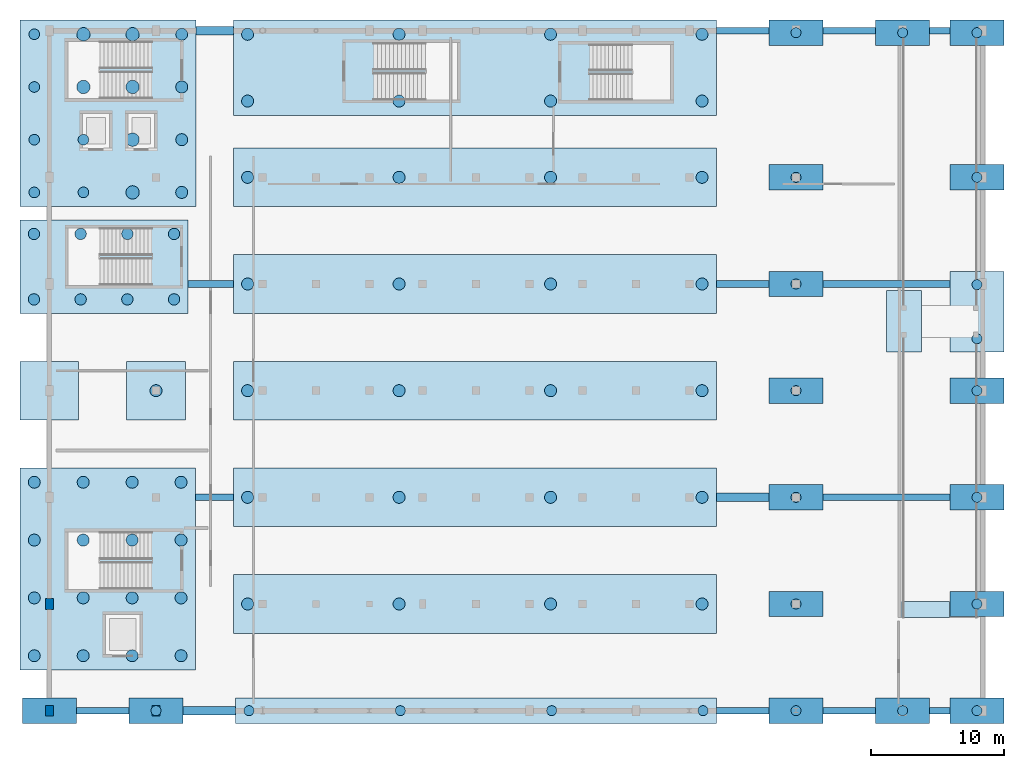
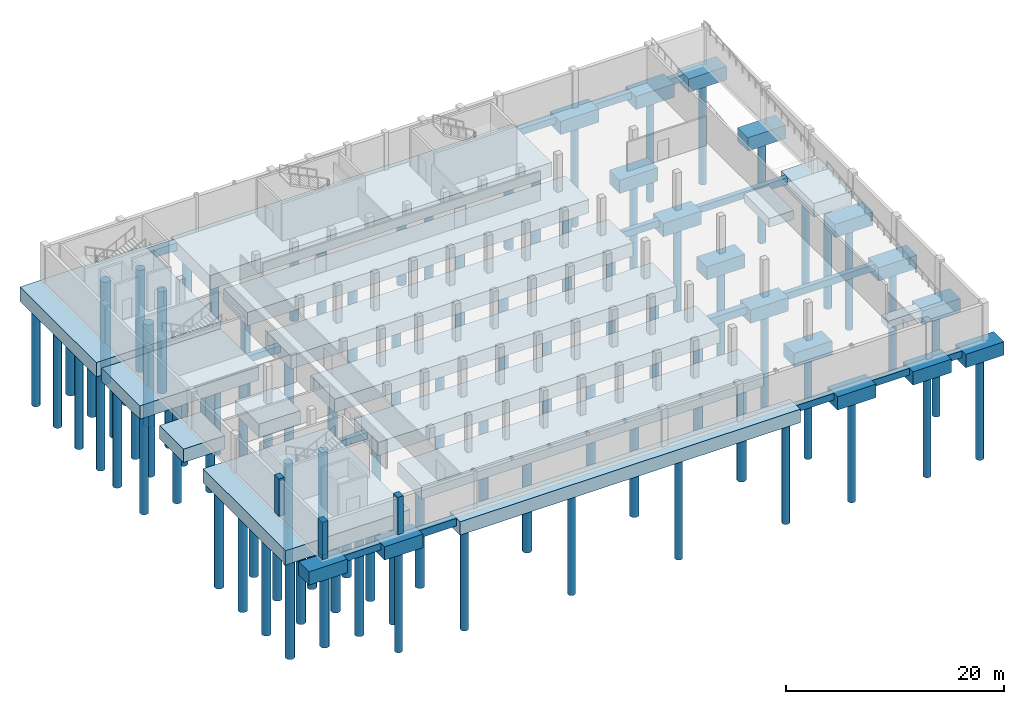
# One storey, part 1 of 15: 91 piles, 47 footings, 3 columns.
"""IFC4 building model written with IfcOpenShell, lengths in metres."""

from ifc_helpers import new_model, si_unit, derived_unit, direction, frame, origin, origin_2d, place, context, subcontext, project, spatial, rectangle, circle, extrude, material, material_profile, profile_set, type_object, element, save


model = new_model("IFC4")

# Units and contexts
model_context = context("Model", 3, precision=1e-05, world=origin(), true_north=direction((0.0, 1.0)))
body_context = subcontext(model_context, "Body", "Model", "MODEL_VIEW")
ifc_project = project(units=[si_unit("LENGTHUNIT", "METRE"), si_unit("AREAUNIT", "SQUARE_METRE"), si_unit("VOLUMEUNIT", "CUBIC_METRE"), si_unit("PLANEANGLEUNIT", "RADIAN"), si_unit("MASSUNIT", "GRAM", prefix="KILO"), derived_unit("THERMALTRANSMITTANCEUNIT", [(si_unit("POWERUNIT", "WATT"), 1), (si_unit("LENGTHUNIT", "METRE"), -2), (si_unit("THERMODYNAMICTEMPERATUREUNIT", "KELVIN"), -1)])], contexts=[model_context])

# Site, building, storey
site_placement = place(None, origin())
site = spatial("IfcSite", under=ifc_project, at=site_placement, CompositionType="ELEMENT")
building_placement = place(site_placement, origin())
building = spatial("IfcBuilding", under=site, at=building_placement, Name="Keldorne Ridge Multi-Sports Centre", CompositionType="ELEMENT")
storey_placement = place(building_placement, frame((0.0, 0.0, -4.199951171875)))
storey = spatial("IfcBuildingStorey", under=building, at=storey_placement, Name="B01", CompositionType="ELEMENT", Elevation=-4.199951171875)

# Footings
ifc_material_1 = material(Name="Concrete C35/45", Category="concrete")
ifc_material_profile_1 = material_profile(ifc_material_1, rectangle(XDim=0.5, YDim=0.75, at=origin_2d()), Name="GB 500x750")
ifc_profile_set_1 = profile_set([ifc_material_profile_1], Name="Concrete C35/45")
footing_type_1 = type_object("IfcFootingType", Name="FTG-GB02", PredefinedType="FOOTING_BEAM", material=ifc_profile_set_1)
for number, where, z_axis, x_axis, name in (
    (1, (106.02490234375, 66.0, -0.800048828125), (1.0, 0.0, 0.0), (0.0, 1.0, 0.0), "Ground tie beam GB-064"),
    (2, (154.02490234375, 66.0, -0.800048828125), (1.0, 0.0, 0.0), (0.0, 1.0, 0.0), "Ground tie beam GB-066"),
    (3, (162.02490234375, 66.0, -0.800048828125), (1.0, 0.0, 0.0), (0.0, 1.0, 0.0), "Ground tie beam GB-067"),
):
    element("IfcFooting", number, at=place(storey_placement, frame(where, z_axis=z_axis, x_axis=x_axis)), inside=storey, type_object=footing_type_1, Name=name, PredefinedType="FOOTING_BEAM", context=body_context, shape_type="SweptSolid", body=[
        extrude(rectangle(XDim=0.5, YDim=0.75, at=origin_2d()), origin(), (0.0, 0.0, 1.0), 3.9501953125),
    ])
footing_1_placement = place(storey_placement, frame((170.02490234375, 66.0, -0.800048828125), z_axis=(1.0, 0.0, 0.0), x_axis=(0.0, 1.0, 0.0)))
element("IfcFooting", 4, at=footing_1_placement, inside=storey, type_object=footing_type_1, Name="Ground tie beam GB-068", PredefinedType="FOOTING_BEAM", context=body_context, shape_type="SweptSolid", body=[
    extrude(rectangle(XDim=0.5, YDim=0.75, at=origin_2d()), origin(), (0.0, 0.0, 1.0), 1.525146484375),
])
footing_2_placement = place(storey_placement, frame((114.949951171875, 82.0, -0.800048828125), z_axis=(1.0, 0.0, 0.0), x_axis=(0.0, 1.0, 0.0)))
element("IfcFooting", 5, at=footing_2_placement, inside=storey, type_object=footing_type_1, Name="Ground tie beam GB-069", PredefinedType="FOOTING_BEAM", context=body_context, shape_type="SweptSolid", body=[
    extrude(rectangle(XDim=0.5, YDim=0.75, at=origin_2d()), origin(), (0.0, 0.0, 1.0), 2.85009765625),
])
footing_3_placement = place(storey_placement, frame((162.02490234375, 82.0, -0.800048828125), z_axis=(1.0, 0.0, 0.0), x_axis=(0.0, 1.0, 0.0)))
element("IfcFooting", 6, at=footing_3_placement, inside=storey, type_object=footing_type_1, Name="Ground tie beam GB-071", PredefinedType="FOOTING_BEAM", context=body_context, shape_type="SweptSolid", body=[
    extrude(rectangle(XDim=0.5, YDim=0.75, at=origin_2d()), origin(), (0.0, 0.0, 1.0), 9.525146484375),
])
footing_4_placement = place(storey_placement, frame((114.39990234375, 98.0, -0.800048828125), z_axis=(1.0, 0.0, 0.0), x_axis=(0.0, 1.0, 0.0)))
element("IfcFooting", 7, at=footing_4_placement, inside=storey, type_object=footing_type_1, Name="Ground tie beam GB-072", PredefinedType="FOOTING_BEAM", context=body_context, shape_type="SweptSolid", body=[
    extrude(rectangle(XDim=0.5, YDim=0.75, at=origin_2d()), origin(), (0.0, 0.0, 1.0), 3.400146484375),
])
footing_5_placement = place(storey_placement, frame((154.02490234375, 98.0, -0.800048828125), z_axis=(1.0, 0.0, 0.0), x_axis=(0.0, 1.0, 0.0)))
element("IfcFooting", 8, at=footing_5_placement, inside=storey, type_object=footing_type_1, Name="Ground tie beam GB-073", PredefinedType="FOOTING_BEAM", context=body_context, shape_type="SweptSolid", body=[
    extrude(rectangle(XDim=0.5, YDim=0.75, at=origin_2d()), origin(), (0.0, 0.0, 1.0), 3.9501953125),
])
footing_6_placement = place(storey_placement, frame((162.02490234375, 98.0, -0.800048828125), z_axis=(1.0, 0.0, 0.0), x_axis=(0.0, 1.0, 0.0)))
element("IfcFooting", 9, at=footing_6_placement, inside=storey, type_object=footing_type_1, Name="Ground tie beam GB-074", PredefinedType="FOOTING_BEAM", context=body_context, shape_type="SweptSolid", body=[
    extrude(rectangle(XDim=0.5, YDim=0.75, at=origin_2d()), origin(), (0.0, 0.0, 1.0), 9.525146484375),
])
for number, where, z_axis, x_axis, name in (
    (10, (154.02490234375, 117.0, -0.800048828125), (1.0, 0.0, 0.0), (0.0, 1.0, 0.0), "Ground tie beam GB-076"),
    (11, (162.02490234375, 117.0, -0.800048828125), (1.0, 0.0, 0.0), (0.0, 1.0, 0.0), "Ground tie beam GB-077"),
):
    element("IfcFooting", number, at=place(storey_placement, frame(where, z_axis=z_axis, x_axis=x_axis)), inside=storey, type_object=footing_type_1, Name=name, PredefinedType="FOOTING_BEAM", context=body_context, shape_type="SweptSolid", body=[
        extrude(rectangle(XDim=0.5, YDim=0.75, at=origin_2d()), origin(), (0.0, 0.0, 1.0), 3.9501953125),
    ])
footing_7_placement = place(storey_placement, frame((170.02490234375, 117.0, -0.800048828125), z_axis=(1.0, 0.0, 0.0), x_axis=(0.0, 1.0, 0.0)))
element("IfcFooting", 12, at=footing_7_placement, inside=storey, type_object=footing_type_1, Name="Ground tie beam GB-078", PredefinedType="FOOTING_BEAM", context=body_context, shape_type="SweptSolid", body=[
    extrude(rectangle(XDim=0.5, YDim=0.75, at=origin_2d()), origin(), (0.0, 0.0, 1.0), 1.525146484375),
])
ifc_material_profile_2 = material_profile(ifc_material_1, rectangle(XDim=0.64990234375, YDim=0.85009765625, at=origin_2d()), Name="GB 650x850")
ifc_profile_set_2 = profile_set([ifc_material_profile_2], Name="Concrete C35/45")
footing_type_2 = type_object("IfcFootingType", Name="FTG-GB03", PredefinedType="FOOTING_BEAM", material=ifc_profile_set_2)
for number, where, z_axis, x_axis, name in (
    (13, (114.02490234375, 66.0, -0.800048828125), (1.0, 0.0, 0.0), (0.0, 1.0, 0.0), "Ground tie beam GB-065"),
    (14, (154.02490234375, 82.0, -0.800048828125), (1.0, 0.0, 0.0), (0.0, 1.0, 0.0), "Ground tie beam GB-070"),
):
    element("IfcFooting", number, at=place(storey_placement, frame(where, z_axis=z_axis, x_axis=x_axis)), inside=storey, type_object=footing_type_2, Name=name, PredefinedType="FOOTING_BEAM", context=body_context, shape_type="SweptSolid", body=[
        extrude(rectangle(XDim=0.64990234375, YDim=0.85009765625, at=origin_2d()), origin(), (0.0, 0.0, 1.0), 3.9501953125),
    ])
footing_8_placement = place(storey_placement, frame((115.0, 117.0, -0.800048828125), z_axis=(1.0, 0.0, 0.0), x_axis=(0.0, 1.0, 0.0)))
element("IfcFooting", 15, at=footing_8_placement, inside=storey, type_object=footing_type_2, Name="Ground tie beam GB-075", PredefinedType="FOOTING_BEAM", context=body_context, shape_type="SweptSolid", body=[
    extrude(rectangle(XDim=0.64990234375, YDim=0.85009765625, at=origin_2d()), origin(), (0.0, 0.0, 1.0), 2.800048828125),
])
footing_type_3 = type_object("IfcFootingType", Name="FTG-PC-02", PredefinedType="PILE_CAP", material=ifc_material_1)
for number, where, z_axis, x_axis, name in (
    (16, (104.0, 66.0, -1.900146484375), (0.0, 0.0, 1.0), (1.0, 0.0, 0.0), "Foundation FTG-V5-C-01-01"),
    (17, (112.0, 66.0, -1.900146484375), (0.0, 0.0, 1.0), (1.0, 0.0, 0.0), "Foundation FTG-V5-C-02-01"),
    (18, (160.0, 66.0, -1.900146484375), (0.0, 0.0, 1.0), (1.0, 0.0, 0.0), "Foundation FTG-V5-C-12-01"),
    (19, (160.0, 74.0, -1.900146484375), (0.0, 0.0, 1.0), (1.0, 0.0, 0.0), "Foundation FTG-V5-C-12-02"),
    (20, (160.0, 82.0, -1.900146484375), (0.0, 0.0, 1.0), (1.0, 0.0, 0.0), "Foundation FTG-V5-C-12-03"),
    (21, (160.0, 90.0, -1.900146484375), (0.0, 0.0, 1.0), (1.0, 0.0, 0.0), "Foundation FTG-V5-C-12-04"),
    (22, (160.0, 98.0, -1.900146484375), (0.0, 0.0, 1.0), (1.0, 0.0, 0.0), "Foundation FTG-V5-C-12-05"),
    (23, (160.0, 106.0, -1.900146484375), (0.0, 0.0, 1.0), (1.0, 0.0, 0.0), "Foundation FTG-V5-C-12-06"),
    (24, (160.0, 116.85009765625, -1.900146484375), (0.0, 0.0, 1.0), (1.0, 0.0, 0.0), "Foundation FTG-V5-C-12-07"),
    (25, (168.0, 66.0, -1.900146484375), (0.0, 0.0, 1.0), (1.0, 0.0, 0.0), "Foundation FTG-V5-C-13-01"),
    (26, (168.0, 116.85009765625, -1.900146484375), (0.0, 0.0, 1.0), (1.0, 0.0, 0.0), "Foundation FTG-V5-C-13-07"),
    (27, (173.574951171875, 66.0, -1.900146484375), (0.0, 0.0, 1.0), (1.0, 0.0, 0.0), "Foundation FTG-V5-C-14-01"),
    (28, (173.574951171875, 74.0, -1.900146484375), (0.0, 0.0, 1.0), (1.0, 0.0, 0.0), "Foundation FTG-V5-C-14-02"),
    (29, (173.574951171875, 82.0, -1.900146484375), (0.0, 0.0, 1.0), (1.0, 0.0, 0.0), "Foundation FTG-V5-C-14-03"),
    (30, (173.574951171875, 90.0, -1.900146484375), (0.0, 0.0, 1.0), (1.0, 0.0, 0.0), "Foundation FTG-V5-C-14-04"),
    (31, (173.574951171875, 106.0, -1.900146484375), (0.0, 0.0, 1.0), (1.0, 0.0, 0.0), "Foundation FTG-V5-C-14-06"),
    (32, (173.574951171875, 116.85009765625, -1.900146484375), (0.0, 0.0, 1.0), (1.0, 0.0, 0.0), "Foundation FTG-V5-C-14-07"),
):
    element("IfcFooting", number, at=place(storey_placement, frame(where, z_axis=z_axis, x_axis=x_axis)), inside=storey, type_object=footing_type_3, Name=name, PredefinedType="PILE_CAP", context=body_context, shape_type="SweptSolid", body=[
        extrude(rectangle(XDim=4.050048828125, YDim=1.89990234375, at=origin_2d()), origin(), (0.0, 0.0, 1.0), 1.5),
    ])
footing_type_4 = type_object("IfcFootingType", Name="FTG-PC-05", PredefinedType="PILE_CAP", material=ifc_material_1)
for number, where, z_axis, x_axis, name in (
    (33, (104.0, 90.0, -1.900146484375), (0.0, 0.0, 1.0), (1.0, 0.0, 0.0), "Foundation FTG-V5-C-01-04"),
    (34, (112.0, 90.0, -1.900146484375), (0.0, 0.0, 1.0), (1.0, 0.0, 0.0), "Foundation FTG-V5-C-02-04"),
):
    element("IfcFooting", number, at=place(storey_placement, frame(where, z_axis=z_axis, x_axis=x_axis)), inside=storey, type_object=footing_type_4, Name=name, PredefinedType="PILE_CAP", context=body_context, shape_type="SweptSolid", body=[
        extrude(rectangle(XDim=4.39990234375, YDim=4.39990234375, at=origin_2d()), origin(), (0.0, 0.0, 1.0), 1.5),
    ])
footing_type_5 = type_object("IfcFootingType", Name="FTG-PCC-1260X700", PredefinedType="PILE_CAP", material=ifc_material_1)
footing_9_placement = place(storey_placement, frame((108.10009765625, 99.300048828125, -1.900146484375), z_axis=(0.0, 0.0, 1.0), x_axis=(1.0, 0.0, 0.0)))
element("IfcFooting", 35, at=footing_9_placement, inside=storey, type_object=footing_type_5, Name="Foundation FTG-STR-ST-11", PredefinedType="PILE_CAP", context=body_context, shape_type="SweptSolid", body=[
    extrude(rectangle(XDim=12.60009765625, YDim=7.0, at=origin_2d()), origin(), (0.0, 0.0, 1.0), 1.5),
])
footing_type_6 = type_object("IfcFootingType", Name="FTG-PCC-1315X1515", PredefinedType="PILE_CAP", material=ifc_material_1)
footing_10_placement = place(storey_placement, frame((108.375, 76.625, -2.0), z_axis=(0.0, 0.0, 1.0), x_axis=(1.0, 0.0, 0.0)))
element("IfcFooting", 36, at=footing_10_placement, inside=storey, type_object=footing_type_6, Name="Foundation FTG-CORE-CORE-C2", PredefinedType="PILE_CAP", context=body_context, shape_type="SweptSolid", body=[
    extrude(rectangle(XDim=13.14990234375, YDim=15.14990234375, at=origin_2d()), origin(), (0.0, 0.0, 1.0), 1.60009765625),
])
footing_type_7 = type_object("IfcFootingType", Name="FTG-PCC-1320X1400", PredefinedType="PILE_CAP", material=ifc_material_1)
footing_11_placement = place(storey_placement, frame((108.39990234375, 110.800048828125, -2.0), z_axis=(0.0, 0.0, 1.0), x_axis=(1.0, 0.0, 0.0)))
element("IfcFooting", 37, at=footing_11_placement, inside=storey, type_object=footing_type_7, Name="Foundation FTG-CORE-CORE-C1", PredefinedType="PILE_CAP", context=body_context, shape_type="SweptSolid", body=[
    extrude(rectangle(XDim=13.199951171875, YDim=14.0, at=origin_2d()), origin(), (0.0, 0.0, 1.0), 1.60009765625),
])
footing_type_8 = type_object("IfcFootingType", Name="FTG-PCC-260X460", PredefinedType="PAD_FOOTING", material=ifc_material_1)
footing_12_placement = place(storey_placement, frame((168.10009765625, 95.199951171875, -1.400146484375), z_axis=(0.0, 0.0, 1.0), x_axis=(1.0, 0.0, 0.0)))
element("IfcFooting", 38, at=footing_12_placement, inside=storey, type_object=footing_type_8, Name="Foundation FTG-V5-RMPCOL-1", PredefinedType="PAD_FOOTING", context=body_context, shape_type="SweptSolid", body=[
    extrude(rectangle(XDim=2.60009765625, YDim=4.60009765625, at=origin_2d()), origin(), (0.0, 0.0, 1.0), 1.0),
])
footing_type_9 = type_object("IfcFootingType", Name="FTG-PCC-3605X190", PredefinedType="PILE_CAP", material=ifc_material_1)
footing_13_placement = place(storey_placement, frame((136.0, 66.0, -1.900146484375), z_axis=(0.0, 0.0, 1.0), x_axis=(1.0, 0.0, 0.0)))
element("IfcFooting", 39, at=footing_13_placement, inside=storey, type_object=footing_type_9, Name="Foundation FTG-V5-C-03-01", PredefinedType="PILE_CAP", context=body_context, shape_type="SweptSolid", body=[
    extrude(rectangle(XDim=36.050048828125, YDim=1.89990234375, at=origin_2d()), origin(), (0.0, 0.0, 1.0), 1.5),
])
footing_type_10 = type_object("IfcFootingType", Name="FTG-PCC-3622X440", PredefinedType="PILE_CAP", material=ifc_material_1)
for number, where, z_axis, x_axis, name in (
    (40, (135.91259765625, 74.0, -1.900146484375), (0.0, 0.0, 1.0), (1.0, 0.0, 0.0), "Foundation FTG-V5-C-03-02"),
    (41, (135.91259765625, 82.0, -1.900146484375), (0.0, 0.0, 1.0), (1.0, 0.0, 0.0), "Foundation FTG-V5-C-03-03"),
    (42, (135.91259765625, 90.0, -1.900146484375), (0.0, 0.0, 1.0), (1.0, 0.0, 0.0), "Foundation FTG-V5-C-03-04"),
    (43, (135.91259765625, 98.0, -1.900146484375), (0.0, 0.0, 1.0), (1.0, 0.0, 0.0), "Foundation FTG-V5-C-03-05"),
    (44, (135.91259765625, 106.0, -1.900146484375), (0.0, 0.0, 1.0), (1.0, 0.0, 0.0), "Foundation FTG-V5-C-03-06"),
):
    element("IfcFooting", number, at=place(storey_placement, frame(where, z_axis=z_axis, x_axis=x_axis)), inside=storey, type_object=footing_type_10, Name=name, PredefinedType="PILE_CAP", context=body_context, shape_type="SweptSolid", body=[
        extrude(rectangle(XDim=36.22509765625, YDim=4.39990234375, at=origin_2d()), origin(), (0.0, 0.0, 1.0), 1.5),
    ])
footing_type_11 = type_object("IfcFootingType", Name="FTG-PCC-3622X715", PredefinedType="PILE_CAP", material=ifc_material_1)
footing_14_placement = place(storey_placement, frame((135.91259765625, 114.22509765625, -2.0), z_axis=(0.0, 0.0, 1.0), x_axis=(1.0, 0.0, 0.0)))
element("IfcFooting", 45, at=footing_14_placement, inside=storey, type_object=footing_type_11, Name="Foundation FTG-CORE-CORE-C3", PredefinedType="PILE_CAP", context=body_context, shape_type="SweptSolid", body=[
    extrude(rectangle(XDim=36.22509765625, YDim=7.14990234375, at=origin_2d()), origin(), (0.0, 0.0, 1.0), 1.60009765625),
])
footing_type_12 = type_object("IfcFootingType", Name="FTG-PCC-405X605", PredefinedType="PILE_CAP", material=ifc_material_1)
footing_15_placement = place(storey_placement, frame((173.574951171875, 95.925048828125, -1.900146484375), z_axis=(0.0, 0.0, 1.0), x_axis=(1.0, 0.0, 0.0)))
element("IfcFooting", 46, at=footing_15_placement, inside=storey, type_object=footing_type_12, Name="Foundation FTG-V5-C-14-05", PredefinedType="PILE_CAP", context=body_context, shape_type="SweptSolid", body=[
    extrude(rectangle(XDim=4.050048828125, YDim=6.050048828125, at=origin_2d()), origin(), (0.0, 0.0, 1.0), 1.5),
])
footing_type_13 = type_object("IfcFootingType", Name="FTG-PF-06", PredefinedType="PAD_FOOTING", material=ifc_material_1)
footing_16_placement = place(storey_placement, frame((169.699951171875, 73.60009765625, -1.0400390625), z_axis=(0.0, 0.0, 1.0), x_axis=(1.0, 0.0, 0.0)))
element("IfcFooting", 47, at=footing_16_placement, inside=storey, type_object=footing_type_13, Name="Vehicle ramp VR-01 lower toe foundation pad", PredefinedType="PAD_FOOTING", context=body_context, shape_type="SweptSolid", body=[
    extrude(rectangle(XDim=3.60009765625, YDim=1.199951171875, at=origin_2d()), origin(), (0.0, 0.0, 1.0), 0.800048828125),
])

# Piles
ifc_material_profile_3 = material_profile(ifc_material_1, circle(Radius=0.375, at=origin_2d()), Name="BORED PILE D750")
ifc_profile_set_3 = profile_set([ifc_material_profile_3], Name="Concrete C35/45")
pile_type_1 = type_object("IfcPileType", Name="PILE-BP01", PredefinedType="BORED", material=ifc_profile_set_3)
for number, where, z_axis, x_axis, name in (
    (48, (112.0, 66.0, -1.75), (0.0, 0.0, -1.0), (1.0, 0.0, 0.0), "Bored pile P-0285"),
    (49, (118.969970703125, 66.0, -1.75), (0.0, 0.0, -1.0), (1.0, 0.0, 0.0), "Bored pile P-0287"),
    (50, (130.3232421875, 66.0, -1.75), (0.0, 0.0, -1.0), (1.0, 0.0, 0.0), "Bored pile P-0288"),
    (51, (141.6767578125, 66.0, -1.75), (0.0, 0.0, -1.0), (1.0, 0.0, 0.0), "Bored pile P-0289"),
    (52, (153.030029296875, 66.0, -1.75), (0.0, 0.0, -1.0), (1.0, 0.0, 0.0), "Bored pile P-0290"),
    (53, (160.0, 66.0, -1.75), (0.0, 0.0, -1.0), (1.0, 0.0, 0.0), "Bored pile P-0311"),
    (54, (160.0, 74.0, -1.75), (0.0, 0.0, -1.0), (1.0, 0.0, 0.0), "Bored pile P-0312"),
    (55, (160.0, 82.0, -1.75), (0.0, 0.0, -1.0), (1.0, 0.0, 0.0), "Bored pile P-0313"),
    (56, (160.0, 90.0, -1.75), (0.0, 0.0, -1.0), (1.0, 0.0, 0.0), "Bored pile P-0314"),
    (57, (160.0, 98.0, -1.75), (0.0, 0.0, -1.0), (1.0, 0.0, 0.0), "Bored pile P-0315"),
    (58, (160.0, 106.0, -1.75), (0.0, 0.0, -1.0), (1.0, 0.0, 0.0), "Bored pile P-0316"),
    (59, (160.0, 116.85009765625, -1.75), (0.0, 0.0, -1.0), (1.0, 0.0, 0.0), "Bored pile P-0317"),
    (60, (168.0, 66.0, -1.75), (0.0, 0.0, -1.0), (1.0, 0.0, 0.0), "Bored pile P-0318"),
    (61, (168.0, 116.85009765625, -1.75), (0.0, 0.0, -1.0), (1.0, 0.0, 0.0), "Bored pile P-0319"),
    (62, (173.574951171875, 66.0, -1.75), (0.0, 0.0, -1.0), (1.0, 0.0, 0.0), "Bored pile P-0320"),
    (63, (173.574951171875, 74.0, -1.75), (0.0, 0.0, -1.0), (1.0, 0.0, 0.0), "Bored pile P-0321"),
    (64, (173.574951171875, 82.0, -1.75), (0.0, 0.0, -1.0), (1.0, 0.0, 0.0), "Bored pile P-0322"),
    (65, (173.574951171875, 90.0, -1.75), (0.0, 0.0, -1.0), (1.0, 0.0, 0.0), "Bored pile P-0323"),
    (66, (173.574951171875, 93.89501953125, -1.75), (0.0, 0.0, -1.0), (1.0, 0.0, 0.0), "Bored pile P-0324"),
    (67, (173.574951171875, 97.955078125, -1.75), (0.0, 0.0, -1.0), (1.0, 0.0, 0.0), "Bored pile P-0325"),
    (68, (173.574951171875, 106.0, -1.75), (0.0, 0.0, -1.0), (1.0, 0.0, 0.0), "Bored pile P-0326"),
    (69, (173.574951171875, 116.85009765625, -1.75), (0.0, 0.0, -1.0), (1.0, 0.0, 0.0), "Bored pile P-0327"),
):
    element("IfcPile", number, at=place(storey_placement, frame(where, z_axis=z_axis, x_axis=x_axis)), inside=storey, type_object=pile_type_1, Name=name, PredefinedType="BORED", context=body_context, shape_type="SweptSolid", body=[
        extrude(circle(Radius=0.375, at=origin_2d()), origin(), (0.0, 0.0, 1.0), 11.550048828125),
    ])
ifc_material_profile_4 = material_profile(ifc_material_1, circle(Radius=0.425048828125, at=origin_2d()), Name="BORED PILE D850")
ifc_profile_set_4 = profile_set([ifc_material_profile_4], Name="Concrete C35/45")
pile_type_2 = type_object("IfcPileType", Name="PILE-BP02", PredefinedType="BORED", material=ifc_profile_set_4)
for number, where, z_axis, x_axis, name in (
    (70, (102.844970703125, 96.844970703125, -1.75), (0.0, 0.0, -1.0), (1.0, 0.0, 0.0), "Bored pile P-0113"),
    (71, (102.844970703125, 101.7548828125, -1.75), (0.0, 0.0, -1.0), (1.0, 0.0, 0.0), "Bored pile P-0114"),
    (72, (106.348388671875, 96.844970703125, -1.75), (0.0, 0.0, -1.0), (1.0, 0.0, 0.0), "Bored pile P-0115"),
    (73, (106.348388671875, 101.7548828125, -1.75), (0.0, 0.0, -1.0), (1.0, 0.0, 0.0), "Bored pile P-0116"),
    (74, (109.851806640625, 96.844970703125, -1.75), (0.0, 0.0, -1.0), (1.0, 0.0, 0.0), "Bored pile P-0117"),
    (75, (109.851806640625, 101.7548828125, -1.75), (0.0, 0.0, -1.0), (1.0, 0.0, 0.0), "Bored pile P-0118"),
    (76, (113.35498046875, 96.844970703125, -1.75), (0.0, 0.0, -1.0), (1.0, 0.0, 0.0), "Bored pile P-0119"),
    (77, (113.35498046875, 101.7548828125, -1.75), (0.0, 0.0, -1.0), (1.0, 0.0, 0.0), "Bored pile P-0120"),
):
    element("IfcPile", number, at=place(storey_placement, frame(where, z_axis=z_axis, x_axis=x_axis)), inside=storey, type_object=pile_type_2, Name=name, PredefinedType="BORED", context=body_context, shape_type="SweptSolid", body=[
        extrude(circle(Radius=0.425048828125, at=origin_2d()), origin(), (0.0, 0.0, 1.0), 11.550048828125),
    ])
ifc_material_profile_5 = material_profile(ifc_material_1, circle(Radius=0.449951171875, at=origin_2d()), Name="BORED PILE D900")
ifc_profile_set_5 = profile_set([ifc_material_profile_5], Name="Concrete C35/45")
pile_type_3 = type_object("IfcPileType", Name="PILE-BP03", PredefinedType="BORED", material=ifc_profile_set_5)
for number, where, z_axis, x_axis, name in (
    (78, (113.929931640625, 104.8701171875, -1.85009765625), (0.0, 0.0, -1.0), (1.0, 0.0, 0.0), "Bored pile P-0013"),
    (79, (113.929931640625, 108.8232421875, -1.85009765625), (0.0, 0.0, -1.0), (1.0, 0.0, 0.0), "Bored pile P-0014"),
    (80, (113.929931640625, 112.776611328125, -1.85009765625), (0.0, 0.0, -1.0), (1.0, 0.0, 0.0), "Bored pile P-0015"),
    (81, (113.929931640625, 116.72998046875, -1.85009765625), (0.0, 0.0, -1.0), (1.0, 0.0, 0.0), "Bored pile P-0016"),
    (82, (102.8701171875, 70.1201171875, -1.85009765625), (0.0, 0.0, -1.0), (1.0, 0.0, 0.0), "Bored pile P-0017"),
    (83, (102.8701171875, 74.456787109375, -1.85009765625), (0.0, 0.0, -1.0), (1.0, 0.0, 0.0), "Bored pile P-0018"),
    (84, (102.8701171875, 78.793212890625, -1.85009765625), (0.0, 0.0, -1.0), (1.0, 0.0, 0.0), "Bored pile P-0019"),
    (85, (102.8701171875, 83.1298828125, -1.85009765625), (0.0, 0.0, -1.0), (1.0, 0.0, 0.0), "Bored pile P-0020"),
    (86, (106.5400390625, 70.1201171875, -1.85009765625), (0.0, 0.0, -1.0), (1.0, 0.0, 0.0), "Bored pile P-0021"),
    (87, (106.5400390625, 74.456787109375, -1.85009765625), (0.0, 0.0, -1.0), (1.0, 0.0, 0.0), "Bored pile P-0022"),
    (88, (106.5400390625, 78.793212890625, -1.85009765625), (0.0, 0.0, -1.0), (1.0, 0.0, 0.0), "Bored pile P-0023"),
    (89, (106.5400390625, 83.1298828125, -1.85009765625), (0.0, 0.0, -1.0), (1.0, 0.0, 0.0), "Bored pile P-0024"),
    (90, (110.2099609375, 70.1201171875, -1.85009765625), (0.0, 0.0, -1.0), (1.0, 0.0, 0.0), "Bored pile P-0025"),
    (91, (110.2099609375, 74.456787109375, -1.85009765625), (0.0, 0.0, -1.0), (1.0, 0.0, 0.0), "Bored pile P-0026"),
    (92, (110.2099609375, 78.793212890625, -1.85009765625), (0.0, 0.0, -1.0), (1.0, 0.0, 0.0), "Bored pile P-0027"),
    (93, (110.2099609375, 83.1298828125, -1.85009765625), (0.0, 0.0, -1.0), (1.0, 0.0, 0.0), "Bored pile P-0028"),
    (94, (113.8798828125, 70.1201171875, -1.85009765625), (0.0, 0.0, -1.0), (1.0, 0.0, 0.0), "Bored pile P-0029"),
    (95, (113.8798828125, 74.456787109375, -1.85009765625), (0.0, 0.0, -1.0), (1.0, 0.0, 0.0), "Bored pile P-0030"),
    (96, (113.8798828125, 78.793212890625, -1.85009765625), (0.0, 0.0, -1.0), (1.0, 0.0, 0.0), "Bored pile P-0031"),
    (97, (113.8798828125, 83.1298828125, -1.85009765625), (0.0, 0.0, -1.0), (1.0, 0.0, 0.0), "Bored pile P-0032"),
    (98, (118.8701171875, 111.719970703125, -1.85009765625), (0.0, 0.0, -1.0), (1.0, 0.0, 0.0), "Bored pile P-0033"),
    (99, (118.8701171875, 116.72998046875, -1.85009765625), (0.0, 0.0, -1.0), (1.0, 0.0, 0.0), "Bored pile P-0034"),
    (100, (130.231689453125, 111.719970703125, -1.85009765625), (0.0, 0.0, -1.0), (1.0, 0.0, 0.0), "Bored pile P-0035"),
    (101, (130.231689453125, 116.72998046875, -1.85009765625), (0.0, 0.0, -1.0), (1.0, 0.0, 0.0), "Bored pile P-0036"),
    (102, (141.59326171875, 111.719970703125, -1.85009765625), (0.0, 0.0, -1.0), (1.0, 0.0, 0.0), "Bored pile P-0037"),
    (103, (141.59326171875, 116.72998046875, -1.85009765625), (0.0, 0.0, -1.0), (1.0, 0.0, 0.0), "Bored pile P-0038"),
    (104, (152.955078125, 111.719970703125, -1.85009765625), (0.0, 0.0, -1.0), (1.0, 0.0, 0.0), "Bored pile P-0039"),
    (105, (152.955078125, 116.72998046875, -1.85009765625), (0.0, 0.0, -1.0), (1.0, 0.0, 0.0), "Bored pile P-0040"),
):
    element("IfcPile", number, at=place(storey_placement, frame(where, z_axis=z_axis, x_axis=x_axis)), inside=storey, type_object=pile_type_3, Name=name, PredefinedType="BORED", context=body_context, shape_type="SweptSolid", body=[
        extrude(circle(Radius=0.449951171875, at=origin_2d()), origin(), (0.0, 0.0, 1.0), 11.449951171875),
    ])
for number, where, z_axis, x_axis, name in (
    (106, (112.0, 90.0, -1.75), (0.0, 0.0, -1.0), (1.0, 0.0, 0.0), "Bored pile P-0286"),
    (107, (118.8701171875, 74.0, -1.75), (0.0, 0.0, -1.0), (1.0, 0.0, 0.0), "Bored pile P-0291"),
    (108, (130.231689453125, 74.0, -1.75), (0.0, 0.0, -1.0), (1.0, 0.0, 0.0), "Bored pile P-0292"),
    (109, (141.59326171875, 74.0, -1.75), (0.0, 0.0, -1.0), (1.0, 0.0, 0.0), "Bored pile P-0293"),
    (110, (152.955078125, 74.0, -1.75), (0.0, 0.0, -1.0), (1.0, 0.0, 0.0), "Bored pile P-0294"),
    (111, (118.8701171875, 82.0, -1.75), (0.0, 0.0, -1.0), (1.0, 0.0, 0.0), "Bored pile P-0295"),
    (112, (130.231689453125, 82.0, -1.75), (0.0, 0.0, -1.0), (1.0, 0.0, 0.0), "Bored pile P-0296"),
    (113, (141.59326171875, 82.0, -1.75), (0.0, 0.0, -1.0), (1.0, 0.0, 0.0), "Bored pile P-0297"),
    (114, (152.955078125, 82.0, -1.75), (0.0, 0.0, -1.0), (1.0, 0.0, 0.0), "Bored pile P-0298"),
    (115, (118.8701171875, 90.0, -1.75), (0.0, 0.0, -1.0), (1.0, 0.0, 0.0), "Bored pile P-0299"),
    (116, (130.231689453125, 90.0, -1.75), (0.0, 0.0, -1.0), (1.0, 0.0, 0.0), "Bored pile P-0300"),
    (117, (141.59326171875, 90.0, -1.75), (0.0, 0.0, -1.0), (1.0, 0.0, 0.0), "Bored pile P-0301"),
    (118, (152.955078125, 90.0, -1.75), (0.0, 0.0, -1.0), (1.0, 0.0, 0.0), "Bored pile P-0302"),
    (119, (118.8701171875, 98.0, -1.75), (0.0, 0.0, -1.0), (1.0, 0.0, 0.0), "Bored pile P-0303"),
    (120, (130.231689453125, 98.0, -1.75), (0.0, 0.0, -1.0), (1.0, 0.0, 0.0), "Bored pile P-0304"),
    (121, (141.59326171875, 98.0, -1.75), (0.0, 0.0, -1.0), (1.0, 0.0, 0.0), "Bored pile P-0305"),
    (122, (152.955078125, 98.0, -1.75), (0.0, 0.0, -1.0), (1.0, 0.0, 0.0), "Bored pile P-0306"),
    (123, (118.8701171875, 106.0, -1.75), (0.0, 0.0, -1.0), (1.0, 0.0, 0.0), "Bored pile P-0307"),
    (124, (130.231689453125, 106.0, -1.75), (0.0, 0.0, -1.0), (1.0, 0.0, 0.0), "Bored pile P-0308"),
    (125, (141.59326171875, 106.0, -1.75), (0.0, 0.0, -1.0), (1.0, 0.0, 0.0), "Bored pile P-0309"),
    (126, (152.955078125, 106.0, -1.75), (0.0, 0.0, -1.0), (1.0, 0.0, 0.0), "Bored pile P-0310"),
):
    element("IfcPile", number, at=place(storey_placement, frame(where, z_axis=z_axis, x_axis=x_axis)), inside=storey, type_object=pile_type_3, Name=name, PredefinedType="BORED", context=body_context, shape_type="SweptSolid", body=[
        extrude(circle(Radius=0.449951171875, at=origin_2d()), origin(), (0.0, 0.0, 1.0), 11.550048828125),
    ])
ifc_material_profile_6 = material_profile(ifc_material_1, circle(Radius=0.39990234375, at=origin_2d()), Name="BORED PILE D800")
ifc_profile_set_6 = profile_set([ifc_material_profile_6], Name="Concrete C35/45")
pile_type_4 = type_object("IfcPileType", Name="PILE-BP05", PredefinedType="BORED", material=ifc_profile_set_6)
for number, where, z_axis, x_axis, name in (
    (127, (102.8701171875, 104.8701171875, -1.85009765625), (0.0, 0.0, -1.0), (1.0, 0.0, 0.0), "Bored pile P-0001"),
    (128, (102.8701171875, 108.8232421875, -1.85009765625), (0.0, 0.0, -1.0), (1.0, 0.0, 0.0), "Bored pile P-0002"),
    (129, (102.8701171875, 112.776611328125, -1.85009765625), (0.0, 0.0, -1.0), (1.0, 0.0, 0.0), "Bored pile P-0003"),
    (130, (102.8701171875, 116.72998046875, -1.85009765625), (0.0, 0.0, -1.0), (1.0, 0.0, 0.0), "Bored pile P-0004"),
    (131, (106.556640625, 104.8701171875, -1.85009765625), (0.0, 0.0, -1.0), (1.0, 0.0, 0.0), "Bored pile P-0005"),
    (132, (106.556640625, 108.8232421875, -1.85009765625), (0.0, 0.0, -1.0), (1.0, 0.0, 0.0), "Bored pile P-0006"),
):
    element("IfcPile", number, at=place(storey_placement, frame(where, z_axis=z_axis, x_axis=x_axis)), inside=storey, type_object=pile_type_4, Name=name, PredefinedType="BORED", context=body_context, shape_type="SweptSolid", body=[
        extrude(circle(Radius=0.39990234375, at=origin_2d()), origin(), (0.0, 0.0, 1.0), 11.449951171875),
    ])
ifc_material_profile_7 = material_profile(ifc_material_1, circle(Radius=0.5, at=origin_2d()), Name="BORED PILE D1000")
ifc_profile_set_7 = profile_set([ifc_material_profile_7], Name="Concrete C35/45")
pile_type_5 = type_object("IfcPileType", Name="PILE-BP06", PredefinedType="BORED", material=ifc_profile_set_7)
for number, where, z_axis, x_axis, name in (
    (133, (106.556640625, 112.776611328125, -1.85009765625), (0.0, 0.0, -1.0), (1.0, 0.0, 0.0), "Bored pile P-0007"),
    (134, (106.556640625, 116.72998046875, -1.85009765625), (0.0, 0.0, -1.0), (1.0, 0.0, 0.0), "Bored pile P-0008"),
    (135, (110.243408203125, 104.8701171875, -1.85009765625), (0.0, 0.0, -1.0), (1.0, 0.0, 0.0), "Bored pile P-0009"),
    (136, (110.243408203125, 108.8232421875, -1.85009765625), (0.0, 0.0, -1.0), (1.0, 0.0, 0.0), "Bored pile P-0010"),
    (137, (110.243408203125, 112.776611328125, -1.85009765625), (0.0, 0.0, -1.0), (1.0, 0.0, 0.0), "Bored pile P-0011"),
    (138, (110.243408203125, 116.72998046875, -1.85009765625), (0.0, 0.0, -1.0), (1.0, 0.0, 0.0), "Bored pile P-0012"),
):
    element("IfcPile", number, at=place(storey_placement, frame(where, z_axis=z_axis, x_axis=x_axis)), inside=storey, type_object=pile_type_5, Name=name, PredefinedType="BORED", context=body_context, shape_type="SweptSolid", body=[
        extrude(circle(Radius=0.5, at=origin_2d()), origin(), (0.0, 0.0, 1.0), 11.449951171875),
    ])

# Columns
ifc_material_2 = material(Name="Concrete C40/50", Category="concrete")
ifc_material_profile_8 = material_profile(ifc_material_2, rectangle(XDim=0.60009765625, YDim=0.800048828125, at=origin_2d()), Name="RC 600x800")
ifc_profile_set_8 = profile_set([ifc_material_profile_8], Name="Concrete C40/50")
column_type = type_object("IfcColumnType", Name="COL-C-23", PredefinedType="COLUMN", material=ifc_profile_set_8)
for number, where, z_axis, x_axis, name in (
    (139, (104.0, 66.0, 0.0), (0.0, 0.0, 1.0), (1.0, 0.0, 0.0), "Structural column V5-C-01-01 on B01"),
    (140, (104.0, 74.0, 0.0), (0.0, 0.0, 1.0), (1.0, 0.0, 0.0), "Structural column V5-C-01-02 on B01"),
    (141, (112.0, 66.0, 0.0), (0.0, 0.0, 1.0), (1.0, 0.0, 0.0), "Structural column V5-C-02-01 on B01"),
):
    element("IfcColumn", number, at=place(storey_placement, frame(where, z_axis=z_axis, x_axis=x_axis)), inside=storey, type_object=column_type, Name=name, PredefinedType="COLUMN", context=body_context, shape_type="SweptSolid", body=[
        extrude(rectangle(XDim=0.60009765625, YDim=0.800048828125, at=origin_2d()), origin(), (0.0, 0.0, 1.0), 4.199951171875),
    ])

save(model, "model.ifc")
